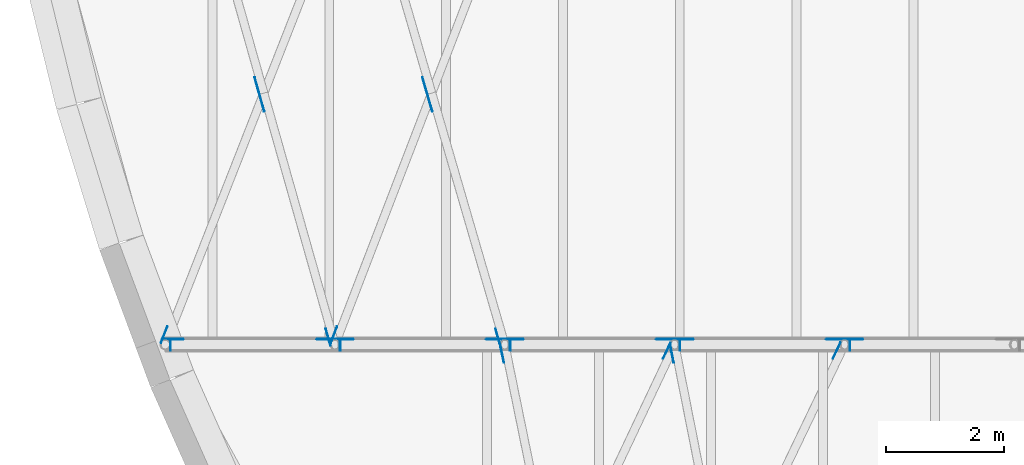
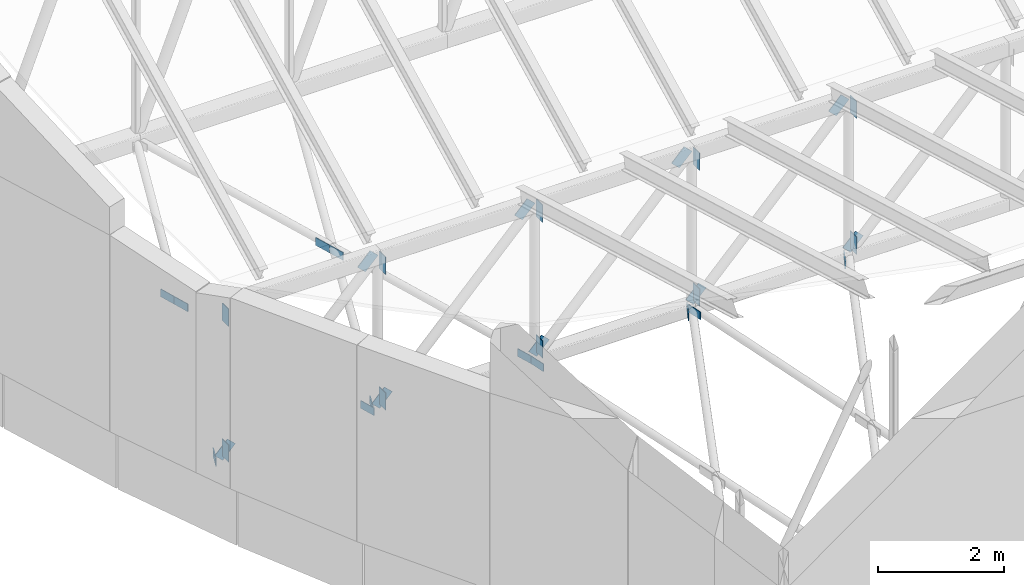
# One storey, part 47 of 68: 31 discrete accessories.
"""IFC4 building model written with IfcOpenShell, lengths in metres."""

from ifc_helpers import new_model, si_unit, direction, frame, origin, origin_2d, place, context, subcontext, project, spatial, rectangle, extrude, material, material_profile, profile_set, type_object, element, save


model = new_model("IFC4")

# Units and contexts
model_context = context("Model", 3, precision=1e-05, world=origin(), true_north=direction((0.0, 1.0)))
body_context = subcontext(model_context, "Body", "Model", "MODEL_VIEW")
ifc_project = project(units=[si_unit("LENGTHUNIT", "METRE"), si_unit("AREAUNIT", "SQUARE_METRE"), si_unit("VOLUMEUNIT", "CUBIC_METRE"), si_unit("PLANEANGLEUNIT", "RADIAN"), si_unit("MASSUNIT", "GRAM", prefix="KILO")], contexts=[model_context])

# Site, building, storey
site_placement = place(None, origin())
site = spatial("IfcSite", under=ifc_project, at=site_placement, CompositionType="ELEMENT")
building_placement = place(site_placement, origin())
building = spatial("IfcBuilding", under=site, at=building_placement, Name="Larchfold Concert Hall", CompositionType="ELEMENT")
storey_placement = place(building_placement, frame((0.0, 0.0, 28.800048828125)))
storey = spatial("IfcBuildingStorey", under=building, at=storey_placement, Name="L06", CompositionType="ELEMENT", Elevation=28.800048828125)

# Discrete accessories
ifc_material_1 = material(Name="Steel S355 galvanised bracket", Category="steel")
ifc_material_profile_1 = material_profile(ifc_material_1, rectangle(XDim=0.011962890625, YDim=0.14990234375, at=origin_2d()))
ifc_profile_set_1 = profile_set([ifc_material_profile_1], Name="Steel S355 galvanised bracket")
discrete_accessory_type_1 = type_object("IfcDiscreteAccessoryType", Name="Gusset plate 12x150", PredefinedType="BRACKET", material=ifc_profile_set_1)
for number, where, z_axis, x_axis, name in (
    (1, (29.488037109375, 68.1611328125, 0.0), (0.427246580432, 0.904135144494, 0.0), (-0.904135144494, 0.427246580432, 0.0), "Gusset plate GP0554"),
    (2, (26.80029296875, 68.0908203125, 0.0), (-0.199401877541, 0.979917798202, 0.0), (-0.979917798202, -0.199401877541, 0.0), "Gusset plate GP0558"),
    (3, (32.356689453125, 68.162109375, 0.0), (0.432175339096, 0.901789596457, 0.0), (-0.901789596457, 0.432175339096, 0.0), "Gusset plate GP0560"),
    (4, (29.66845703125, 68.0908203125, 0.0), (-0.193612426683, 0.98107809487, 0.0), (-0.98107809487, -0.193612426683, 0.0), "Gusset plate GP0564"),
):
    element("IfcDiscreteAccessory", number, at=place(storey_placement, frame(where, z_axis=z_axis, x_axis=x_axis)), inside=storey, type_object=discrete_accessory_type_1, Name=name, PredefinedType="BRACKET", context=body_context, shape_type="SweptSolid", body=[
        extrude(rectangle(XDim=0.011962890625, YDim=0.14990234375, at=origin_2d()), origin(), (0.0, 0.0, 1.0), 0.300048828125),
    ])
discrete_accessory_1_placement = place(storey_placement, frame((21.00390625, 68.427734375, 0.0), z_axis=(0.36562717803, 0.930761390844, 0.0), x_axis=(-0.930761390844, 0.36562717803, 0.0)))
element("IfcDiscreteAccessory", 5, at=discrete_accessory_1_placement, inside=storey, type_object=discrete_accessory_type_1, Name="Gusset plate GP0577", PredefinedType="BRACKET", context=body_context, shape_type="SweptSolid", body=[
    extrude(rectangle(XDim=0.011962890625, YDim=0.14990234375, at=origin_2d()), origin(), (0.0, 0.0, 1.0), 0.2998046875),
])
for number, where, z_axis, x_axis, name in (
    (6, (23.87158203125, 68.379150390625, 0.0), (-0.271711342168, 0.962378795764, 0.0), (-0.962378795764, -0.271711342168, 0.0), "Gusset plate GP0579"),
    (7, (22.75146484375, 72.33935546875, 0.0), (-0.272677919272, 0.962105374864, 0.0), (-0.962105374864, -0.272677919272, 0.0), "Gusset plate GP0580"),
    (8, (22.669677734375, 72.6279296875, 0.0), (-0.271711342168, 0.962378795764, 0.0), (-0.962378795764, -0.271711342168, 0.0), "Gusset plate GP0581"),
):
    element("IfcDiscreteAccessory", number, at=place(storey_placement, frame(where, z_axis=z_axis, x_axis=x_axis)), inside=storey, type_object=discrete_accessory_type_1, Name=name, PredefinedType="BRACKET", context=body_context, shape_type="SweptSolid", body=[
        extrude(rectangle(XDim=0.011962890625, YDim=0.14990234375, at=origin_2d()), origin(), (0.0, 0.0, 1.0), 0.300048828125),
    ])
discrete_accessory_2_placement = place(storey_placement, frame((23.873779296875, 68.42724609375, 0.0), z_axis=(0.359142789905, 0.933282624107, 0.0), x_axis=(-0.933282624107, 0.359142789905, 0.0)))
element("IfcDiscreteAccessory", 9, at=discrete_accessory_2_placement, inside=storey, type_object=discrete_accessory_type_1, Name="Gusset plate GP0583", PredefinedType="BRACKET", context=body_context, shape_type="SweptSolid", body=[
    extrude(rectangle(XDim=0.011962890625, YDim=0.14990234375, at=origin_2d()), origin(), (0.0, 0.0, 1.0), 0.2998046875),
])
for number, where, z_axis, x_axis, name in (
    (10, (26.741943359375, 68.378662109375, 0.0), (-0.279124912547, 0.960254801183, 0.0), (-0.960254801183, -0.279124912547, 0.0), "Gusset plate GP0585"),
    (11, (25.590576171875, 72.33935546875, 0.0), (-0.279124912547, 0.960254801183, 0.0), (-0.960254801183, -0.279124912547, 0.0), "Gusset plate GP0586"),
    (12, (25.5068359375, 72.62744140625, 0.0), (-0.279124912547, 0.960254801183, 0.0), (-0.960254801183, -0.279124912547, 0.0), "Gusset plate GP0587"),
):
    element("IfcDiscreteAccessory", number, at=place(storey_placement, frame(where, z_axis=z_axis, x_axis=x_axis)), inside=storey, type_object=discrete_accessory_type_1, Name=name, PredefinedType="BRACKET", context=body_context, shape_type="SweptSolid", body=[
        extrude(rectangle(XDim=0.011962890625, YDim=0.14990234375, at=origin_2d()), origin(), (0.0, 0.0, 1.0), 0.300048828125),
    ])
ifc_material_2 = material(Name="Steel S355 galvanised bracket", Category="steel")
ifc_material_profile_2 = material_profile(ifc_material_2, rectangle(XDim=0.011962890625, YDim=0.199951171875, at=origin_2d()))
ifc_profile_set_2 = profile_set([ifc_material_profile_2], Name="Steel S355 galvanised bracket")
discrete_accessory_type_2 = type_object("IfcDiscreteAccessoryType", Name="Gusset plate 12x200", PredefinedType="BRACKET", material=ifc_profile_set_2)
for number, where, z_axis, x_axis, name in (
    (13, (21.16455078125, 68.39990234375, 2.97998046875), (0.0, 0.0, -1.0), (1.0, 0.0, 0.0), "Gusset plate GP0173"),
    (14, (21.16455078125, 68.39990234375, 0.356689453125), (0.0, 0.0, -1.0), (1.0, 0.0, 0.0), "Gusset plate GP0174"),
    (15, (24.03466796875, 68.39990234375, 2.97998046875), (0.0, 0.0, -1.0), (1.0, 0.0, 0.0), "Gusset plate GP0175"),
    (16, (24.03466796875, 68.39990234375, 0.356689453125), (0.0, 0.0, -1.0), (1.0, 0.0, 0.0), "Gusset plate GP0176"),
    (17, (26.90478515625, 68.39990234375, 2.97998046875), (0.0, 0.0, -1.0), (1.0, 0.0, 0.0), "Gusset plate GP0177"),
    (18, (26.90478515625, 68.39990234375, 0.356689453125), (0.0, 0.0, -1.0), (1.0, 0.0, 0.0), "Gusset plate GP0178"),
    (19, (29.77490234375, 68.39990234375, 2.97998046875), (0.0, 0.0, -1.0), (1.0, 0.0, 0.0), "Gusset plate GP0179"),
    (20, (29.77490234375, 68.39990234375, 0.356689453125), (0.0, 0.0, -1.0), (1.0, 0.0, 0.0), "Gusset plate GP0180"),
    (21, (32.644775390625, 68.39990234375, 2.97998046875), (0.0, 0.0, -1.0), (1.0, 0.0, 0.0), "Gusset plate GP0181"),
    (22, (32.644775390625, 68.39990234375, 0.356689453125), (0.0, 0.0, -1.0), (1.0, 0.0, 0.0), "Gusset plate GP0182"),
):
    element("IfcDiscreteAccessory", number, at=place(storey_placement, frame(where, z_axis=z_axis, x_axis=x_axis)), inside=storey, type_object=discrete_accessory_type_2, Name=name, PredefinedType="BRACKET", context=body_context, shape_type="SweptSolid", body=[
        extrude(rectangle(XDim=0.011962890625, YDim=0.199951171875, at=origin_2d()), origin(), (0.0, 0.0, 1.0), 0.336669921875),
    ])
for number, where, z_axis, x_axis, name in (
    (23, (21.08837890625, 68.489990234375, 0.014404296875), (0.691337933084, 0.0, 0.722531564902), (0.0, 1.0, 0.0), "Gusset plate GP0205"),
    (24, (23.697998046875, 68.489990234375, 2.742431640625), (0.691337933084, 0.0, 0.722531564902), (0.0, 1.0, 0.0), "Gusset plate GP0206"),
    (25, (23.95849609375, 68.489990234375, 0.014404296875), (0.691337933084, 0.0, 0.722531564902), (0.0, 1.0, 0.0), "Gusset plate GP0207"),
    (26, (26.568115234375, 68.489990234375, 2.742431640625), (0.691337933084, 0.0, 0.722531564902), (0.0, 1.0, 0.0), "Gusset plate GP0208"),
    (27, (26.82861328125, 68.489990234375, 0.014404296875), (0.691337933084, 0.0, 0.722531564902), (0.0, 1.0, 0.0), "Gusset plate GP0209"),
    (28, (29.438232421875, 68.489990234375, 2.742431640625), (0.691337933084, 0.0, 0.722531564902), (0.0, 1.0, 0.0), "Gusset plate GP0210"),
    (29, (29.69873046875, 68.489990234375, 0.014404296875), (0.691337933084, 0.0, 0.722531564902), (0.0, 1.0, 0.0), "Gusset plate GP0211"),
    (30, (32.30810546875, 68.489990234375, 2.742431640625), (0.691337933084, 0.0, 0.722531564902), (0.0, 1.0, 0.0), "Gusset plate GP0212"),
    (31, (32.568603515625, 68.489990234375, 0.014404296875), (0.691337933084, 0.0, 0.722531564902), (0.0, 1.0, 0.0), "Gusset plate GP0213"),
):
    element("IfcDiscreteAccessory", number, at=place(storey_placement, frame(where, z_axis=z_axis, x_axis=x_axis)), inside=storey, type_object=discrete_accessory_type_2, Name=name, PredefinedType="BRACKET", context=body_context, shape_type="SweptSolid", body=[
        extrude(rectangle(XDim=0.011962890625, YDim=0.199951171875, at=origin_2d()), origin(), (0.0, 0.0, 1.0), 0.33642578125),
    ])

save(model, "model.ifc")
